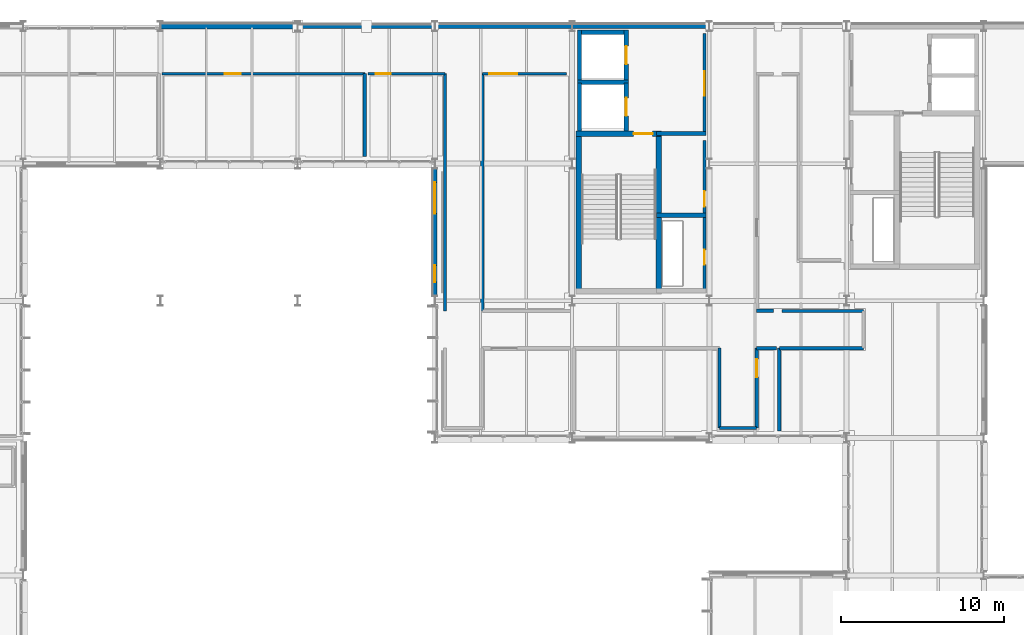
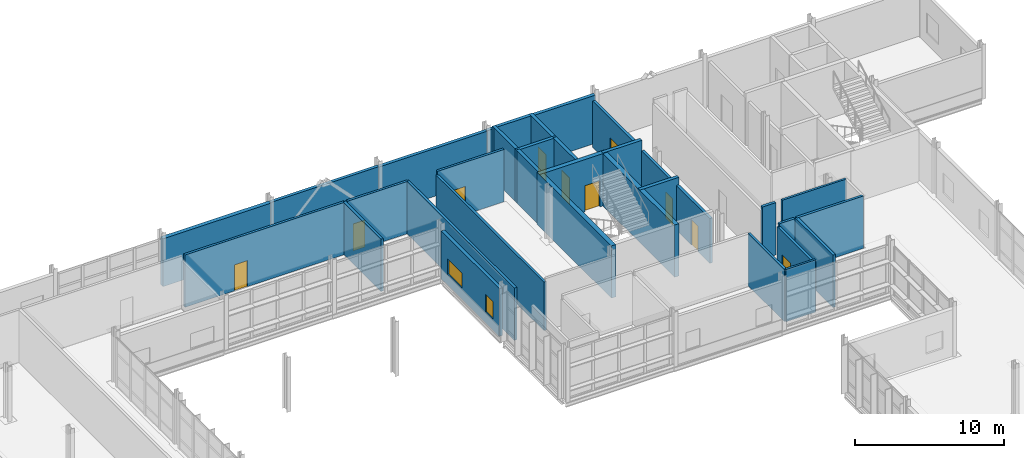
# One storey, part 103 of 129: 33 walls, 10 doors, 2 windows, 12 openings.
"""IFC4 building model written with IfcOpenShell, lengths in metres."""

from ifc_helpers import new_model, si_unit, direction, frame, frame_2d, origin, place, context, subcontext, project, spatial, rectangle, extrude, material, layer, layer_set, type_object, element, fill, save


model = new_model("IFC4")

# Units and contexts
model_context = context("Model", 3, precision=1e-05, world=origin(), true_north=direction((0.0, 1.0)))
body_context = subcontext(model_context, "Body", "Model", "MODEL_VIEW")
ifc_project = project(units=[si_unit("LENGTHUNIT", "METRE"), si_unit("AREAUNIT", "SQUARE_METRE"), si_unit("VOLUMEUNIT", "CUBIC_METRE"), si_unit("PLANEANGLEUNIT", "RADIAN"), si_unit("MASSUNIT", "GRAM", prefix="KILO")], contexts=[model_context])

# Site, building, storey
site_placement = place(None, origin())
site = spatial("IfcSite", under=ifc_project, at=site_placement, CompositionType="ELEMENT")
building_placement = place(site_placement, origin())
building = spatial("IfcBuilding", under=site, at=building_placement, Name="Mersafa Astral City Hall", CompositionType="ELEMENT")
storey_placement = place(building_placement, frame((0.0, 0.0, 5.39990234375)))
storey = spatial("IfcBuildingStorey", under=building, at=storey_placement, Name="L01", CompositionType="ELEMENT", Elevation=5.39990234375)

# Wall
ifc_material_1 = material(Name="Precast concrete C40/50 insulated terracotta spandrel", Category="masonry")
ifc_layer_1 = layer(ifc_material_1, 0.235107421875, Name="Precast concrete C40/50 insulated terracotta spandrel")
ifc_layer_set_1 = layer_set([ifc_layer_1], Name="Precast concrete C40/50 insulated terracotta spandrel — ENV-WAL-EXT-235")
wall_type_1 = type_object("IfcWallType", Name="ENV-WAL-EXT-235", PredefinedType="STANDARD", material=ifc_layer_set_1)
wall_1_placement = place(storey_placement, frame((142.7919921875, 126.0, 0.0), z_axis=(0.0, 0.0, 1.0), x_axis=(-1.0, 0.0, 0.0)))
element("IfcWall", 1, at=wall_1_placement, inside=storey, type_object=wall_type_1, Name="L01 Limestone-clad exterior wall 113", PredefinedType="STANDARD", context=body_context, shape_type="SweptSolid", body=[
    extrude(rectangle(XDim=8.384033203125, YDim=0.235107421875, at=frame_2d((4.19189453125, 0.0))), origin(), (0.0, 0.0, 1.0), 3.9521484375),
])

# Wall, openings, windows
ifc_layer_2 = layer(ifc_material_1, 0.25, Name="Precast concrete C40/50 insulated terracotta spandrel")
ifc_layer_set_2 = layer_set([ifc_layer_2], Name="Precast concrete C40/50 insulated terracotta spandrel — ENV-WAL-EXT-250")
wall_type_2 = type_object("IfcWallType", Name="ENV-WAL-EXT-250", PredefinedType="STANDARD", material=ifc_layer_set_2)
wall_2_placement = place(storey_placement, frame((142.800048828125, 117.303955078125, 0.0), z_axis=(0.0, 0.0, 1.0), x_axis=(0.0, -1.0, 0.0)))
wall_2 = element("IfcWall", 2, at=wall_2_placement, inside=storey, type_object=wall_type_2, Name="L01 Limestone-clad exterior wall 94", PredefinedType="STANDARD", context=body_context, shape_type="SweptSolid", body=[
    extrude(rectangle(XDim=7.807861328125, YDim=0.25, at=frame_2d((3.90380859375, 0.0))), origin(), (0.0, 0.0, 1.0), 3.922119140625),
])
opening_1_placement = place(wall_2_placement, frame((0.85009765625, 0.0, 0.89990234375)))
opening_1 = element("IfcOpeningElement", 3, at=opening_1_placement, cuts=wall_2, Name="Opening W-20", PredefinedType="OPENING", context=body_context, shape_type="SweptSolid", body=[
    extrude(rectangle(XDim=1.919921875, YDim=1.25, at=frame_2d((0.9599609375, 0.625))), frame((0.0, 0.135009765625, 0.0), z_axis=(0.0, -1.0, 0.0), x_axis=(1.0, 0.0, 0.0)), (0.0, 0.0, 1.0), 0.27001953125),
])
opening_2_placement = place(wall_2_placement, frame((5.93798828125, 0.0, 0.89990234375)))
opening_2 = element("IfcOpeningElement", 4, at=opening_2_placement, cuts=wall_2, Name="Opening W-21", PredefinedType="OPENING", context=body_context, shape_type="SweptSolid", body=[
    extrude(rectangle(XDim=1.02001953125, YDim=1.449951171875, at=frame_2d((0.510009765625, 0.72509765625))), frame((0.0, 0.135009765625, 0.0), z_axis=(0.0, -1.0, 0.0), x_axis=(1.0, 0.0, 0.0)), (0.0, 0.0, 1.0), 0.27001953125),
])
ifc_material_2 = material(Name="Solar control low-e double glazing in bronze frame", Category="glass")
window_type_1 = type_object("IfcWindowType", Name="ENV-WIN-W-20", PartitioningType="SINGLE_PANEL", PredefinedType="WINDOW", material=ifc_material_2)
window_1_placement = place(opening_1_placement, origin())
window_1 = element("IfcWindow", 5, at=window_1_placement, inside=storey, type_object=window_type_1, Name="L01 Solar punched window 94-L", OverallHeight=1.25, OverallWidth=1.919921875, PartitioningType="SINGLE_PANEL", PredefinedType="WINDOW", context=body_context, shape_type="SweptSolid", body=[
    extrude(rectangle(XDim=1.919921875, YDim=1.25, at=frame_2d((0.9599609375, 0.625))), frame((0.0, 0.030029296875, 0.0), z_axis=(0.0, -1.0, 0.0), x_axis=(1.0, 0.0, 0.0)), (0.0, 0.0, 1.0), 0.06005859375),
])
fill(opening_1, window_1)
window_type_2 = type_object("IfcWindowType", Name="ENV-WIN-W-21", PartitioningType="SINGLE_PANEL", PredefinedType="WINDOW", material=ifc_material_2)
window_2_placement = place(opening_2_placement, origin())
window_2 = element("IfcWindow", 6, at=window_2_placement, inside=storey, type_object=window_type_2, Name="L01 Solar punched window 94-R", OverallHeight=1.449951171875, OverallWidth=1.02001953125, PartitioningType="SINGLE_PANEL", PredefinedType="WINDOW", context=body_context, shape_type="SweptSolid", body=[
    extrude(rectangle(XDim=1.02001953125, YDim=1.449951171875, at=frame_2d((0.510009765625, 0.72509765625))), frame((0.0, 0.030029296875, 0.0), z_axis=(0.0, -1.0, 0.0), x_axis=(1.0, 0.0, 0.0)), (0.0, 0.0, 1.0), 0.06005859375),
])
fill(opening_2, window_2)

# Walls
wall_3_placement = place(storey_placement, frame((151.19189453125, 126.0, 0.0), z_axis=(0.0, 0.0, 1.0), x_axis=(-1.0, 0.0, 0.0)))
element("IfcWall", 7, at=wall_3_placement, inside=storey, type_object=wall_type_2, Name="L01 Limestone-clad exterior wall 112", PredefinedType="STANDARD", context=body_context, shape_type="SweptSolid", body=[
    extrude(rectangle(XDim=8.3837890625, YDim=0.25, at=frame_2d((4.19189453125, 0.0))), origin(), (0.0, 0.0, 1.0), 3.922119140625),
])
ifc_material_3 = material(Name="Precast concrete C40/50 insulated limestone wall", Category="masonry")
ifc_layer_3 = layer(ifc_material_3, 0.264892578125, Name="Precast concrete C40/50 insulated limestone wall")
ifc_layer_set_3 = layer_set([ifc_layer_3], Name="Precast concrete C40/50 insulated limestone wall — ENV-WAL-EXT-265")
wall_type_3 = type_object("IfcWallType", Name="ENV-WAL-EXT-265", PredefinedType="STANDARD", material=ifc_layer_set_3)
wall_4_placement = place(storey_placement, frame((159.592041015625, 126.0, 0.0), z_axis=(0.0, 0.0, 1.0), x_axis=(-1.0, 0.0, 0.0)))
element("IfcWall", 8, at=wall_4_placement, inside=storey, type_object=wall_type_3, Name="L01 Limestone-clad exterior wall 111", PredefinedType="STANDARD", context=body_context, shape_type="SweptSolid", body=[
    extrude(rectangle(XDim=8.384033203125, YDim=0.264892578125, at=frame_2d((4.19189453125, 0.0))), origin(), (0.0, 0.0, 1.0), 3.9521484375),
])
ifc_layer_4 = layer(ifc_material_3, 0.31005859375, Name="Precast concrete C40/50 insulated limestone wall")
ifc_layer_set_4 = layer_set([ifc_layer_4], Name="Precast concrete C40/50 insulated limestone wall — ENV-WAL-EXT-310")
wall_type_4 = type_object("IfcWallType", Name="ENV-WAL-EXT-310", PredefinedType="STANDARD", material=ifc_layer_set_4)
wall_5_placement = place(storey_placement, frame((134.39208984375, 126.0, 0.0), z_axis=(0.0, 0.0, 1.0), x_axis=(-1.0, 0.0, 0.0)))
element("IfcWall", 9, at=wall_5_placement, inside=storey, type_object=wall_type_4, Name="L01 Limestone-clad exterior wall 114", PredefinedType="STANDARD", context=body_context, shape_type="SweptSolid", body=[
    extrude(rectangle(XDim=8.384033203125, YDim=0.31005859375, at=frame_2d((4.19189453125, 0.0))), origin(), (0.0, 0.0, 1.0), 3.922119140625),
])
ifc_material_4 = material(Name="Concrete C40/50", Category="concrete")
ifc_layer_5 = layer(ifc_material_4, 0.260009765625, Name="Concrete C40/50")
ifc_layer_set_5 = layer_set([ifc_layer_5], Name="Concrete C40/50 — INT-WAL-CORE-260")
wall_type_5 = type_object("IfcWallType", Name="INT-WAL-CORE-260", PredefinedType="SHEAR", material=ifc_layer_set_5)
wall_6_placement = place(storey_placement, frame((151.514892578125, 122.5849609375, 0.0), z_axis=(0.0, 0.0, 1.0), x_axis=(1.0, 0.0, 0.0)))
element("IfcWall", 10, at=wall_6_placement, inside=storey, type_object=wall_type_5, Name="L01 Lift LF1 north shaft wall", PredefinedType="SHEAR", context=body_context, shape_type="SweptSolid", body=[
    extrude(rectangle(XDim=3.130126953125, YDim=0.260009765625, at=frame_2d((1.56494140625, 0.0))), origin(), (0.0, 0.0, 1.0), 4.2900390625),
])
wall_7_placement = place(storey_placement, frame((151.64501953125, 119.596923828125, 0.0), z_axis=(0.0, 0.0, 1.0), x_axis=(0.0, 1.0, 0.0)))
element("IfcWall", 11, at=wall_7_placement, inside=storey, type_object=wall_type_5, Name="L01 Lift LF1 back shaft wall", PredefinedType="SHEAR", context=body_context, shape_type="SweptSolid", body=[
    extrude(rectangle(XDim=2.947998046875, YDim=0.260009765625, at=frame_2d((1.47412109375, 0.0))), origin(), (0.0, 0.0, 1.0), 4.2900390625),
])

# Wall, opening, door
wall_8_placement = place(storey_placement, frame((154.514892578125, 119.596923828125, 0.0), z_axis=(0.0, 0.0, 1.0), x_axis=(0.0, 1.0, 0.0)))
wall_8 = element("IfcWall", 12, at=wall_8_placement, inside=storey, type_object=wall_type_5, Name="L01 Lift LF1 front shaft wall", PredefinedType="SHEAR", context=body_context, shape_type="SweptSolid", body=[
    extrude(rectangle(XDim=2.947998046875, YDim=0.260009765625, at=frame_2d((1.47412109375, 0.0))), origin(), (0.0, 0.0, 1.0), 4.2900390625),
])
opening_3_placement = place(wall_8_placement, frame((0.924072265625, 0.0, 0.0)))
opening_3 = element("IfcOpeningElement", 13, at=opening_3_placement, cuts=wall_8, Name="Opening LD-1", PredefinedType="OPENING", context=body_context, shape_type="SweptSolid", body=[
    extrude(rectangle(XDim=1.10009765625, YDim=2.14990234375, at=frame_2d((0.550048828125, 1.074951171875))), frame((0.0, 0.139892578125, 0.0), z_axis=(0.0, -1.0, 0.0), x_axis=(1.0, 0.0, 0.0)), (0.0, 0.0, 1.0), 0.280029296875),
])
ifc_material_5 = material(Name="Stainless steel sliding lift landing door", Category="steel")
door_type_1 = type_object("IfcDoorType", Name="INT-DR-LIFT-LD1", OperationType="NOTDEFINED", PredefinedType="DOOR", material=ifc_material_5)
door_1_placement = place(opening_3_placement, origin())
door_1 = element("IfcDoor", 14, at=door_1_placement, inside=storey, type_object=door_type_1, Name="Elevator LF1 Sliding Landing Door L01", OperationType="DOUBLE_DOOR_SLIDING", OverallHeight=2.14990234375, OverallWidth=1.10009765625, PredefinedType="DOOR", context=body_context, shape_type="SweptSolid", body=[
    extrude(rectangle(XDim=1.10009765625, YDim=2.14990234375, at=frame_2d((0.550048828125, 1.074951171875))), frame((0.0, 0.02490234375, 0.0), z_axis=(0.0, -1.0, 0.0), x_axis=(1.0, 0.0, 0.0)), (0.0, 0.0, 1.0), 0.050048828125),
])
fill(opening_3, door_1)

# Walls
wall_9_placement = place(storey_placement, frame((151.514892578125, 125.635009765625, 0.0), z_axis=(0.0, 0.0, 1.0), x_axis=(1.0, 0.0, 0.0)))
element("IfcWall", 15, at=wall_9_placement, inside=storey, type_object=wall_type_5, Name="L01 Lift LF3 north shaft wall", PredefinedType="SHEAR", context=body_context, shape_type="SweptSolid", body=[
    extrude(rectangle(XDim=3.130126953125, YDim=0.260009765625, at=frame_2d((1.56494140625, 0.0))), origin(), (0.0, 0.0, 1.0), 4.2900390625),
])
wall_10_placement = place(storey_placement, frame((151.64501953125, 122.705078125, 0.0), z_axis=(0.0, 0.0, 1.0), x_axis=(0.0, 1.0, 0.0)))
element("IfcWall", 16, at=wall_10_placement, inside=storey, type_object=wall_type_5, Name="L01 Lift LF3 back shaft wall", PredefinedType="SHEAR", context=body_context, shape_type="SweptSolid", body=[
    extrude(rectangle(XDim=3.059814453125, YDim=0.260009765625, at=frame_2d((1.52978515625, 0.0))), origin(), (0.0, 0.0, 1.0), 4.2900390625),
])

# Wall, opening, door
wall_11_placement = place(storey_placement, frame((154.514892578125, 122.705078125, 0.0), z_axis=(0.0, 0.0, 1.0), x_axis=(0.0, 1.0, 0.0)))
wall_11 = element("IfcWall", 17, at=wall_11_placement, inside=storey, type_object=wall_type_5, Name="L01 Lift LF3 front shaft wall", PredefinedType="SHEAR", context=body_context, shape_type="SweptSolid", body=[
    extrude(rectangle(XDim=3.059814453125, YDim=0.260009765625, at=frame_2d((1.52978515625, 0.0))), origin(), (0.0, 0.0, 1.0), 4.2900390625),
])
opening_4_placement = place(wall_11_placement, frame((0.97998046875, 0.0, 0.0)))
opening_4 = element("IfcOpeningElement", 18, at=opening_4_placement, cuts=wall_11, Name="Opening LD-1", PredefinedType="OPENING", context=body_context, shape_type="SweptSolid", body=[
    extrude(rectangle(XDim=1.10009765625, YDim=2.14990234375, at=frame_2d((0.550048828125, 1.074951171875))), frame((0.0, 0.139892578125, 0.0), z_axis=(0.0, -1.0, 0.0), x_axis=(1.0, 0.0, 0.0)), (0.0, 0.0, 1.0), 0.280029296875),
])
door_2_placement = place(opening_4_placement, origin())
door_2 = element("IfcDoor", 19, at=door_2_placement, inside=storey, type_object=door_type_1, Name="Elevator LF3 Sliding Landing Door L01", OperationType="DOUBLE_DOOR_SLIDING", OverallHeight=2.14990234375, OverallWidth=1.10009765625, PredefinedType="DOOR", context=body_context, shape_type="SweptSolid", body=[
    extrude(rectangle(XDim=1.10009765625, YDim=2.14990234375, at=frame_2d((0.550048828125, 1.074951171875))), frame((0.0, 0.02490234375, 0.0), z_axis=(0.0, -1.0, 0.0), x_axis=(1.0, 0.0, 0.0)), (0.0, 0.0, 1.0), 0.050048828125),
])
fill(opening_4, door_2)

# Walls
for number, where, z_axis, x_axis, name in (
    (20, (156.364990234375, 114.43505859375, 0.0), (0.0, 0.0, 1.0), (1.0, 0.0, 0.0), "L01 Core K1 riser-restroom divider wall"),
    (21, (156.364990234375, 119.43505859375, 0.0), (0.0, 0.0, 1.0), (1.0, 0.0, 0.0), "L01 Core K1 restroom-lobby divider wall"),
):
    element("IfcWall", number, at=place(storey_placement, frame(where, z_axis=z_axis, x_axis=x_axis)), inside=storey, type_object=wall_type_5, Name=name, PredefinedType="SHEAR", context=body_context, shape_type="SweptSolid", body=[
        extrude(rectangle(XDim=3.034912109375, YDim=0.260009765625, at=frame_2d((1.517578125, 0.0))), origin(), (0.0, 0.0, 1.0), 4.2900390625),
    ])
ifc_layer_6 = layer(ifc_material_4, 0.340087890625, Name="Concrete C40/50")
ifc_layer_set_6 = layer_set([ifc_layer_6], Name="Concrete C40/50 — INT-WAL-CORE-340")
wall_type_6 = type_object("IfcWallType", Name="INT-WAL-CORE-340", PredefinedType="SHEAR", material=ifc_layer_set_6)
for number, where, z_axis, x_axis, name in (
    (22, (151.60498046875, 109.60498046875, 0.0), (0.0, 0.0, 1.0), (0.0, 1.0, 0.0), "L01 Core K1 stair west shear wall"),
    (23, (156.514892578125, 109.60498046875, 0.0), (0.0, 0.0, 1.0), (0.0, 1.0, 0.0), "L01 Core K1 stair east shear wall"),
):
    element("IfcWall", number, at=place(storey_placement, frame(where, z_axis=z_axis, x_axis=x_axis)), inside=storey, type_object=wall_type_6, Name=name, PredefinedType="SHEAR", context=body_context, shape_type="SweptSolid", body=[
        extrude(rectangle(XDim=9.989990234375, YDim=0.340087890625, at=frame_2d((4.9951171875, 0.0))), origin(), (0.0, 0.0, 1.0), 4.2900390625),
    ])

# Wall, opening, door
wall_12_placement = place(storey_placement, frame((151.43505859375, 119.425048828125, 0.0), z_axis=(0.0, 0.0, 1.0), x_axis=(1.0, 0.0, 0.0)))
wall_12 = element("IfcWall", 24, at=wall_12_placement, inside=storey, type_object=wall_type_6, Name="L01 Core K1 stair-lobby fire wall", PredefinedType="SHEAR", context=body_context, shape_type="SweptSolid", body=[
    extrude(rectangle(XDim=5.25, YDim=0.340087890625, at=frame_2d((2.625, 0.0))), origin(), (0.0, 0.0, 1.0), 4.2900390625),
])
opening_5_placement = place(wall_12_placement, frame((3.534912109375, 0.0, 0.0)))
opening_5 = element("IfcOpeningElement", 25, at=opening_5_placement, cuts=wall_12, Name="Opening CD-1", PredefinedType="OPENING", context=body_context, shape_type="SweptSolid", body=[
    extrude(rectangle(XDim=1.14990234375, YDim=2.14990234375, at=frame_2d((0.574951171875, 1.074951171875))), frame((0.0, 0.179931640625, 0.0), z_axis=(0.0, -1.0, 0.0), x_axis=(1.0, 0.0, 0.0)), (0.0, 0.0, 1.0), 0.360107421875),
])
ifc_material_6 = material(Name="Fire-rated steel stair door", Category="steel")
door_type_2 = type_object("IfcDoorType", Name="INT-DR-STAIR-FD90-1150", OperationType="NOTDEFINED", PredefinedType="DOOR", material=ifc_material_6)
door_3_placement = place(opening_5_placement, origin())
door_3 = element("IfcDoor", 26, at=door_3_placement, inside=storey, type_object=door_type_2, Name="L01 Protected Stair ST1 Door", OperationType="SINGLE_SWING_LEFT", OverallHeight=2.14990234375, OverallWidth=1.14990234375, PredefinedType="DOOR", context=body_context, shape_type="SweptSolid", body=[
    extrude(rectangle(XDim=1.14990234375, YDim=2.14990234375, at=frame_2d((0.574951171875, 1.074951171875))), frame((0.0, 0.02490234375, 0.0), z_axis=(0.0, -1.0, 0.0), x_axis=(1.0, 0.0, 0.0)), (0.0, 0.0, 1.0), 0.050048828125),
])
fill(opening_5, door_3)

# Walls
ifc_material_7 = material(Name="Fire-rated gypsum stud partition", Category="gypsum")
ifc_layer_7 = layer(ifc_material_7, 0.1650390625, Name="Fire-rated gypsum stud partition")
ifc_layer_set_7 = layer_set([ifc_layer_7], Name="Fire-rated gypsum stud partition — INT-WAL-PART-EI60-165")
wall_type_7 = type_object("IfcWallType", Name="INT-WAL-PART-EI60-165", PredefinedType="STANDARD", material=ifc_layer_set_7)
wall_13_placement = place(storey_placement, frame((169.030029296875, 108.580078125, -0.00390625), z_axis=(0.0, 0.0, 1.0), x_axis=(-1.0, 0.0, 0.0)))
element("IfcWall", 27, at=wall_13_placement, inside=storey, type_object=wall_type_7, Name="L01 Interior partition wall 295", PredefinedType="STANDARD", context=body_context, shape_type="SweptSolid", body=[
    extrude(rectangle(XDim=4.969970703125, YDim=0.1650390625, at=frame_2d((2.48486328125, 0.0))), origin(), (0.0, 0.0, 1.0), 4.2939453125),
])
wall_14_placement = place(storey_placement, frame((160.219970703125, 101.419921875, -0.00390625), z_axis=(0.0, 0.0, 1.0), x_axis=(1.0, 0.0, 0.0)))
element("IfcWall", 28, at=wall_14_placement, inside=storey, type_object=wall_type_7, Name="L01 Interior partition wall 363", PredefinedType="STANDARD", context=body_context, shape_type="SweptSolid", body=[
    extrude(rectangle(XDim=2.280029296875, YDim=0.1650390625, at=frame_2d((1.14013671875, 0.0))), origin(), (0.0, 0.0, 1.0), 4.2939453125),
])

# Wall, opening, door
ifc_material_8 = material(Name="Acoustic twin-stud gypsum partition", Category="gypsum")
ifc_layer_8 = layer(ifc_material_8, 0.179931640625, Name="Acoustic twin-stud gypsum partition")
ifc_layer_set_8 = layer_set([ifc_layer_8], Name="Acoustic twin-stud gypsum partition — INT-WAL-PART-EI60-180")
wall_type_8 = type_object("IfcWallType", Name="INT-WAL-PART-EI60-180", PredefinedType="STANDARD", material=ifc_layer_set_8)
wall_15_placement = place(storey_placement, frame((145.699951171875, 123.10009765625, -0.00390625), z_axis=(0.0, 0.0, 1.0), x_axis=(1.0, 0.0, 0.0)))
wall_15 = element("IfcWall", 29, at=wall_15_placement, inside=storey, type_object=wall_type_8, Name="L01 Interior partition wall 330", PredefinedType="STANDARD", context=body_context, shape_type="SweptSolid", body=[
    extrude(rectangle(XDim=5.16015625, YDim=0.179931640625, at=frame_2d((2.580078125, 0.0))), origin(), (0.0, 0.0, 1.0), 4.2939453125),
])
opening_6_placement = place(wall_15_placement, frame((0.429931640625, 0.0, 0.0)))
opening_6 = element("IfcOpeningElement", 30, at=opening_6_placement, cuts=wall_15, Name="Opening D-36", PredefinedType="OPENING", context=body_context, shape_type="SweptSolid", body=[
    extrude(rectangle(XDim=1.719970703125, YDim=2.300048828125, at=frame_2d((0.85986328125, 1.14990234375))), frame((0.0, 0.099853515625, 0.0), z_axis=(0.0, -1.0, 0.0), x_axis=(1.0, 0.0, 0.0)), (0.0, 0.0, 1.0), 0.199951171875),
])
ifc_material_9 = material(Name="Cedar veneered acoustic fire-rated timber door", Category="wood")
door_type_3 = type_object("IfcDoorType", Name="INT-DR-RM-D-36", OperationType="NOTDEFINED", PredefinedType="DOOR", material=ifc_material_9)
door_4_placement = place(opening_6_placement, origin())
door_4 = element("IfcDoor", 31, at=door_4_placement, inside=storey, type_object=door_type_3, Name="L01 Citizens Service Centre L01-11 Entrance Door", OperationType="SINGLE_SWING_RIGHT", OverallHeight=2.300048828125, OverallWidth=1.719970703125, PredefinedType="DOOR", context=body_context, shape_type="SweptSolid", body=[
    extrude(rectangle(XDim=1.719970703125, YDim=2.300048828125, at=frame_2d((0.85986328125, 1.14990234375))), frame((0.0, 0.02490234375, 0.0), z_axis=(0.0, -1.0, 0.0), x_axis=(1.0, 0.0, 0.0)), (0.0, 0.0, 1.0), 0.050048828125),
])
fill(opening_6, door_4)

wall_16_placement = place(storey_placement, frame((126.090087890625, 123.10009765625, -0.00390625), z_axis=(0.0, 0.0, 1.0), x_axis=(1.0, 0.0, 0.0)))
wall_16 = element("IfcWall", 32, at=wall_16_placement, inside=storey, type_object=wall_type_8, Name="L01 Interior partition wall 354", PredefinedType="STANDARD", context=body_context, shape_type="SweptSolid", body=[
    extrude(rectangle(XDim=12.419921875, YDim=0.179931640625, at=frame_2d((6.2099609375, 0.0))), origin(), (0.0, 0.0, 1.0), 4.2939453125),
])
opening_7_placement = place(wall_16_placement, frame((3.85693359375, 0.0, 0.0)))
opening_7 = element("IfcOpeningElement", 33, at=opening_7_placement, cuts=wall_16, Name="Opening D-11", PredefinedType="OPENING", context=body_context, shape_type="SweptSolid", body=[
    extrude(rectangle(XDim=0.97998046875, YDim=2.139892578125, at=frame_2d((0.489990234375, 1.06982421875))), frame((0.0, 0.099853515625, 0.0), z_axis=(0.0, -1.0, 0.0), x_axis=(1.0, 0.0, 0.0)), (0.0, 0.0, 1.0), 0.199951171875),
])
door_type_4 = type_object("IfcDoorType", Name="INT-DR-RM-D-11", OperationType="NOTDEFINED", PredefinedType="DOOR", material=ifc_material_9)
door_5_placement = place(opening_7_placement, origin())
door_5 = element("IfcDoor", 34, at=door_5_placement, inside=storey, type_object=door_type_4, Name="L01 Members Reading Room L01-22 Entrance Door", OperationType="SINGLE_SWING_LEFT", OverallHeight=2.139892578125, OverallWidth=0.97998046875, PredefinedType="DOOR", context=body_context, shape_type="SweptSolid", body=[
    extrude(rectangle(XDim=0.97998046875, YDim=2.139892578125, at=frame_2d((0.489990234375, 1.06982421875))), frame((0.0, 0.02490234375, 0.0), z_axis=(0.0, -1.0, 0.0), x_axis=(1.0, 0.0, 0.0)), (0.0, 0.0, 1.0), 0.050048828125),
])
fill(opening_7, door_5)

# Wall
wall_17_placement = place(storey_placement, frame((160.219970703125, 106.300048828125, -0.00390625), z_axis=(0.0, 0.0, 1.0), x_axis=(0.0, -1.0, 0.0)))
element("IfcWall", 35, at=wall_17_placement, inside=storey, type_object=wall_type_8, Name="L01 Interior partition wall 362", PredefinedType="STANDARD", context=body_context, shape_type="SweptSolid", body=[
    extrude(rectangle(XDim=4.880126953125, YDim=0.179931640625, at=frame_2d((2.43994140625, 0.0))), origin(), (0.0, 0.0, 1.0), 4.2939453125),
])

# Wall, opening, door
wall_18_placement = place(storey_placement, frame((138.68994140625, 123.10009765625, -0.00390625), z_axis=(0.0, 0.0, 1.0), x_axis=(1.0, 0.0, 0.0)))
wall_18 = element("IfcWall", 36, at=wall_18_placement, inside=storey, type_object=wall_type_8, Name="L01 Interior partition wall 386", PredefinedType="STANDARD", context=body_context, shape_type="SweptSolid", body=[
    extrude(rectangle(XDim=4.72998046875, YDim=0.179931640625, at=frame_2d((2.364990234375, 0.0))), origin(), (0.0, 0.0, 1.0), 4.2939453125),
])
opening_8_placement = place(wall_18_placement, frame((0.486083984375, 0.0, 0.0)))
opening_8 = element("IfcOpeningElement", 37, at=opening_8_placement, cuts=wall_18, Name="Opening D-19", PredefinedType="OPENING", context=body_context, shape_type="SweptSolid", body=[
    extrude(rectangle(XDim=0.919921875, YDim=2.219970703125, at=frame_2d((0.4599609375, 1.10986328125))), frame((0.0, 0.099853515625, 0.0), z_axis=(0.0, -1.0, 0.0), x_axis=(1.0, 0.0, 0.0)), (0.0, 0.0, 1.0), 0.199951171875),
])
door_type_5 = type_object("IfcDoorType", Name="INT-DR-RM-D-19", OperationType="NOTDEFINED", PredefinedType="DOOR", material=ifc_material_9)
door_6_placement = place(opening_8_placement, origin())
door_6 = element("IfcDoor", 38, at=door_6_placement, inside=storey, type_object=door_type_5, Name="L01 Standing Committee Room L01-30 Entrance Door", OperationType="SINGLE_SWING_LEFT", OverallHeight=2.219970703125, OverallWidth=0.919921875, PredefinedType="DOOR", context=body_context, shape_type="SweptSolid", body=[
    extrude(rectangle(XDim=0.919921875, YDim=2.219970703125, at=frame_2d((0.4599609375, 1.10986328125))), frame((0.0, 0.02490234375, 0.0), z_axis=(0.0, -1.0, 0.0), x_axis=(1.0, 0.0, 0.0)), (0.0, 0.0, 1.0), 0.050048828125),
])
fill(opening_8, door_6)

# Walls
ifc_layer_9 = layer(ifc_material_8, 0.195068359375, Name="Acoustic twin-stud gypsum partition")
ifc_layer_set_9 = layer_set([ifc_layer_9], Name="Acoustic twin-stud gypsum partition — INT-WAL-PART-EI60-195")
wall_type_9 = type_object("IfcWallType", Name="INT-WAL-PART-EI60-195", PredefinedType="STANDARD", material=ifc_layer_set_9)
wall_19_placement = place(storey_placement, frame((163.889892578125, 106.300048828125, -0.00390625), z_axis=(0.0, 0.0, 1.0), x_axis=(1.0, 0.0, 0.0)))
element("IfcWall", 39, at=wall_19_placement, inside=storey, type_object=wall_type_9, Name="L01 Interior partition wall 293", PredefinedType="STANDARD", context=body_context, shape_type="SweptSolid", body=[
    extrude(rectangle(XDim=5.14013671875, YDim=0.195068359375, at=frame_2d((2.570068359375, 0.0))), origin(), (0.0, 0.0, 1.0), 4.2939453125),
])
wall_20_placement = place(storey_placement, frame((145.699951171875, 108.580078125, -0.00390625), z_axis=(0.0, 0.0, 1.0), x_axis=(0.0, 1.0, 0.0)))
element("IfcWall", 40, at=wall_20_placement, inside=storey, type_object=wall_type_9, Name="L01 Interior partition wall 329", PredefinedType="STANDARD", context=body_context, shape_type="SweptSolid", body=[
    extrude(rectangle(XDim=14.52001953125, YDim=0.195068359375, at=frame_2d((7.260009765625, 0.0))), origin(), (0.0, 0.0, 1.0), 3.986083984375),
])
wall_21_placement = place(storey_placement, frame((138.510009765625, 123.10009765625, -0.00390625), z_axis=(0.0, 0.0, 1.0), x_axis=(0.0, -1.0, 0.0)))
element("IfcWall", 41, at=wall_21_placement, inside=storey, type_object=wall_type_9, Name="L01 Interior partition wall 353", PredefinedType="STANDARD", context=body_context, shape_type="SweptSolid", body=[
    extrude(rectangle(XDim=5.080078125, YDim=0.195068359375, at=frame_2d((2.5400390625, 0.0))), origin(), (0.0, 0.0, 1.0), 4.2939453125),
])
wall_22_placement = place(storey_placement, frame((162.5, 106.300048828125, -0.00390625), z_axis=(0.0, 0.0, 1.0), x_axis=(1.0, 0.0, 0.0)))
element("IfcWall", 42, at=wall_22_placement, inside=storey, type_object=wall_type_9, Name="L01 Interior partition wall 365", PredefinedType="STANDARD", context=body_context, shape_type="SweptSolid", body=[
    extrude(rectangle(XDim=1.2099609375, YDim=0.195068359375, at=frame_2d((0.60498046875, 0.0))), origin(), (0.0, 0.0, 1.0), 4.2939453125),
])
wall_23_placement = place(storey_placement, frame((143.419921875, 123.10009765625, -0.00390625), z_axis=(0.0, 0.0, 1.0), x_axis=(0.0, -1.0, 0.0)))
element("IfcWall", 43, at=wall_23_placement, inside=storey, type_object=wall_type_9, Name="L01 Interior partition wall 385", PredefinedType="STANDARD", context=body_context, shape_type="SweptSolid", body=[
    extrude(rectangle(XDim=14.52001953125, YDim=0.195068359375, at=frame_2d((7.260009765625, 0.0))), origin(), (0.0, 0.0, 1.0), 4.2939453125),
])

# Wall, opening, door
ifc_material_10 = material(Name="Autoclaved aerated concrete blockwork plastered", Category="masonry")
ifc_layer_10 = layer(ifc_material_10, 0.2099609375, Name="Autoclaved aerated concrete blockwork plastered")
ifc_layer_set_10 = layer_set([ifc_layer_10], Name="Autoclaved aerated concrete blockwork plastered — INT-WAL-PART-EI60-210")
wall_type_10 = type_object("IfcWallType", Name="INT-WAL-PART-EI60-210", PredefinedType="STANDARD", material=ifc_layer_set_10)
wall_24_placement = place(storey_placement, frame((159.300048828125, 109.820068359375, 0.0), z_axis=(0.0, 0.0, 1.0), x_axis=(0.0, 1.0, 0.0)))
wall_24 = element("IfcWall", 44, at=wall_24_placement, inside=storey, type_object=wall_type_10, Name="L01 Core K1 riser corridor partition", PredefinedType="STANDARD", context=body_context, shape_type="SweptSolid", body=[
    extrude(rectangle(XDim=4.58984375, YDim=0.2099609375, at=frame_2d((2.294921875, 0.0))), origin(), (0.0, 0.0, 1.0), 3.68212890625),
])
opening_9_placement = place(wall_24_placement, frame((1.60009765625, 0.0, 0.0)))
opening_9 = element("IfcOpeningElement", 45, at=opening_9_placement, cuts=wall_24, Name="Opening CD-5", PredefinedType="OPENING", context=body_context, shape_type="SweptSolid", body=[
    extrude(rectangle(XDim=0.89990234375, YDim=2.10009765625, at=frame_2d((0.449951171875, 1.050048828125))), frame((0.0, 0.114990234375, 0.0), z_axis=(0.0, -1.0, 0.0), x_axis=(1.0, 0.0, 0.0)), (0.0, 0.0, 1.0), 0.22998046875),
])
ifc_material_11 = material(Name="Fire-rated steel riser access door", Category="steel")
door_type_6 = type_object("IfcDoorType", Name="INT-DR-RISER-FD60-900", OperationType="NOTDEFINED", PredefinedType="DOOR", material=ifc_material_11)
door_7_placement = place(opening_9_placement, origin())
door_7 = element("IfcDoor", 46, at=door_7_placement, inside=storey, type_object=door_type_6, Name="L01 K1 MEP Riser Access Door", OperationType="SINGLE_SWING_RIGHT", OverallHeight=2.10009765625, OverallWidth=0.89990234375, PredefinedType="DOOR", context=body_context, shape_type="SweptSolid", body=[
    extrude(rectangle(XDim=0.89990234375, YDim=2.10009765625, at=frame_2d((0.449951171875, 1.050048828125))), frame((0.0, 0.02490234375, 0.0), z_axis=(0.0, -1.0, 0.0), x_axis=(1.0, 0.0, 0.0)), (0.0, 0.0, 1.0), 0.050048828125),
])
fill(opening_9, door_7)

wall_25_placement = place(storey_placement, frame((159.300048828125, 114.52001953125, 0.0), z_axis=(0.0, 0.0, 1.0), x_axis=(0.0, 1.0, 0.0)))
wall_25 = element("IfcWall", 47, at=wall_25_placement, inside=storey, type_object=wall_type_10, Name="L01 Core K1 accessible WC corridor partition", PredefinedType="STANDARD", context=body_context, shape_type="SweptSolid", body=[
    extrude(rectangle(XDim=4.47998046875, YDim=0.2099609375, at=frame_2d((2.239990234375, 0.0))), origin(), (0.0, 0.0, 1.0), 3.68212890625),
])
opening_10_placement = place(wall_25_placement, frame((0.449951171875, 0.0, 0.0)))
opening_10 = element("IfcOpeningElement", 48, at=opening_10_placement, cuts=wall_25, Name="Opening CD-4", PredefinedType="OPENING", context=body_context, shape_type="SweptSolid", body=[
    extrude(rectangle(XDim=0.949951171875, YDim=2.14990234375, at=frame_2d((0.47509765625, 1.074951171875))), frame((0.0, 0.114990234375, 0.0), z_axis=(0.0, -1.0, 0.0), x_axis=(1.0, 0.0, 0.0)), (0.0, 0.0, 1.0), 0.22998046875),
])
ifc_material_12 = material(Name="Accessible timber acoustic WC door", Category="wood")
door_type_7 = type_object("IfcDoorType", Name="INT-DR-WC-FD30-950", OperationType="NOTDEFINED", PredefinedType="DOOR", material=ifc_material_12)
door_8_placement = place(opening_10_placement, origin())
door_8 = element("IfcDoor", 49, at=door_8_placement, inside=storey, type_object=door_type_7, Name="L01 K1 Accessible Restroom Door", OperationType="SINGLE_SWING_LEFT", OverallHeight=2.14990234375, OverallWidth=0.949951171875, PredefinedType="DOOR", context=body_context, shape_type="SweptSolid", body=[
    extrude(rectangle(XDim=0.949951171875, YDim=2.14990234375, at=frame_2d((0.47509765625, 1.074951171875))), frame((0.0, 0.02490234375, 0.0), z_axis=(0.0, -1.0, 0.0), x_axis=(1.0, 0.0, 0.0)), (0.0, 0.0, 1.0), 0.050048828125),
])
fill(opening_10, door_8)

wall_26_placement = place(storey_placement, frame((159.300048828125, 119.43994140625, 0.0), z_axis=(0.0, 0.0, 1.0), x_axis=(0.0, 1.0, 0.0)))
wall_26 = element("IfcWall", 50, at=wall_26_placement, inside=storey, type_object=wall_type_10, Name="L01 Core K1 lobby corridor partition", PredefinedType="STANDARD", context=body_context, shape_type="SweptSolid", body=[
    extrude(rectangle(XDim=6.1201171875, YDim=0.2099609375, at=frame_2d((3.06005859375, 0.0))), origin(), (0.0, 0.0, 1.0), 3.7919921875),
])
opening_11_placement = place(wall_26_placement, frame((2.31005859375, 0.0, 0.0)))
opening_11 = element("IfcOpeningElement", 51, at=opening_11_placement, cuts=wall_26, Name="Opening CD-3", PredefinedType="OPENING", context=body_context, shape_type="SweptSolid", body=[
    extrude(rectangle(XDim=1.5, YDim=2.199951171875, at=frame_2d((0.75, 1.10009765625))), frame((0.0, 0.114990234375, 0.0), z_axis=(0.0, -1.0, 0.0), x_axis=(1.0, 0.0, 0.0)), (0.0, 0.0, 1.0), 0.22998046875),
])
ifc_material_13 = material(Name="Fire-rated glazed lobby door pair", Category="metal")
door_type_8 = type_object("IfcDoorType", Name="INT-DR-LOBBY-FD90-1500", OperationType="NOTDEFINED", PredefinedType="DOOR", material=ifc_material_13)
door_9_placement = place(opening_11_placement, origin())
door_9 = element("IfcDoor", 52, at=door_9_placement, inside=storey, type_object=door_type_8, Name="L01 K1 Lift Lobby Fire Door", OperationType="DOUBLE_DOOR_SINGLE_SWING", OverallHeight=2.199951171875, OverallWidth=1.5, PredefinedType="DOOR", context=body_context, shape_type="SweptSolid", body=[
    extrude(rectangle(XDim=1.5, YDim=2.199951171875, at=frame_2d((0.75, 1.10009765625))), frame((0.0, 0.02490234375, 0.0), z_axis=(0.0, -1.0, 0.0), x_axis=(1.0, 0.0, 0.0)), (0.0, 0.0, 1.0), 0.050048828125),
])
fill(opening_11, door_9)

# Walls
wall_27_placement = place(storey_placement, frame((163.889892578125, 101.219970703125, -0.00390625), z_axis=(0.0, 0.0, 1.0), x_axis=(0.0, 1.0, 0.0)))
element("IfcWall", 53, at=wall_27_placement, inside=storey, type_object=wall_type_10, Name="L01 Interior partition wall 292", PredefinedType="STANDARD", context=body_context, shape_type="SweptSolid", body=[
    extrude(rectangle(XDim=5.080078125, YDim=0.2099609375, at=frame_2d((2.5400390625, 0.0))), origin(), (0.0, 0.0, 1.0), 4.2939453125),
])
wall_28_placement = place(storey_placement, frame((163.5400390625, 108.580078125, -0.00390625), z_axis=(0.0, 0.0, 1.0), x_axis=(-1.0, 0.0, 0.0)))
element("IfcWall", 54, at=wall_28_placement, inside=storey, type_object=wall_type_10, Name="L01 Interior partition wall 296", PredefinedType="STANDARD", context=body_context, shape_type="SweptSolid", body=[
    extrude(rectangle(XDim=1.0400390625, YDim=0.2099609375, at=frame_2d((0.52001953125, 0.0))), origin(), (0.0, 0.0, 1.0), 4.2939453125),
])

# Wall, opening, door
wall_29_placement = place(storey_placement, frame((162.5, 101.419921875, -0.00390625), z_axis=(0.0, 0.0, 1.0), x_axis=(0.0, 1.0, 0.0)))
wall_29 = element("IfcWall", 55, at=wall_29_placement, inside=storey, type_object=wall_type_10, Name="L01 Interior partition wall 364", PredefinedType="STANDARD", context=body_context, shape_type="SweptSolid", body=[
    extrude(rectangle(XDim=4.880126953125, YDim=0.2099609375, at=frame_2d((2.43994140625, 0.0))), origin(), (0.0, 0.0, 1.0), 4.0458984375),
])
opening_12_placement = place(wall_29_placement, frame((3.110107421875, 0.0, 0.0)))
opening_12 = element("IfcOpeningElement", 56, at=opening_12_placement, cuts=wall_29, Name="Opening D-13", PredefinedType="OPENING", context=body_context, shape_type="SweptSolid", body=[
    extrude(rectangle(XDim=1.10009765625, YDim=2.139892578125, at=frame_2d((0.550048828125, 1.06982421875))), frame((0.0, 0.114990234375, 0.0), z_axis=(0.0, -1.0, 0.0), x_axis=(1.0, 0.0, 0.0)), (0.0, 0.0, 1.0), 0.22998046875),
])
door_type_9 = type_object("IfcDoorType", Name="INT-DR-RM-D-13", OperationType="NOTDEFINED", PredefinedType="DOOR", material=ifc_material_9)
door_10_placement = place(opening_12_placement, origin())
door_10 = element("IfcDoor", 57, at=door_10_placement, inside=storey, type_object=door_type_9, Name="L01 Municipal Administration Office L01-24 Entrance Door", OperationType="SINGLE_SWING_LEFT", OverallHeight=2.139892578125, OverallWidth=1.10009765625, PredefinedType="DOOR", context=body_context, shape_type="SweptSolid", body=[
    extrude(rectangle(XDim=1.10009765625, YDim=2.139892578125, at=frame_2d((0.550048828125, 1.06982421875))), frame((0.0, 0.02490234375, 0.0), z_axis=(0.0, -1.0, 0.0), x_axis=(1.0, 0.0, 0.0)), (0.0, 0.0, 1.0), 0.050048828125),
])
fill(opening_12, door_10)

save(model, "model.ifc")
